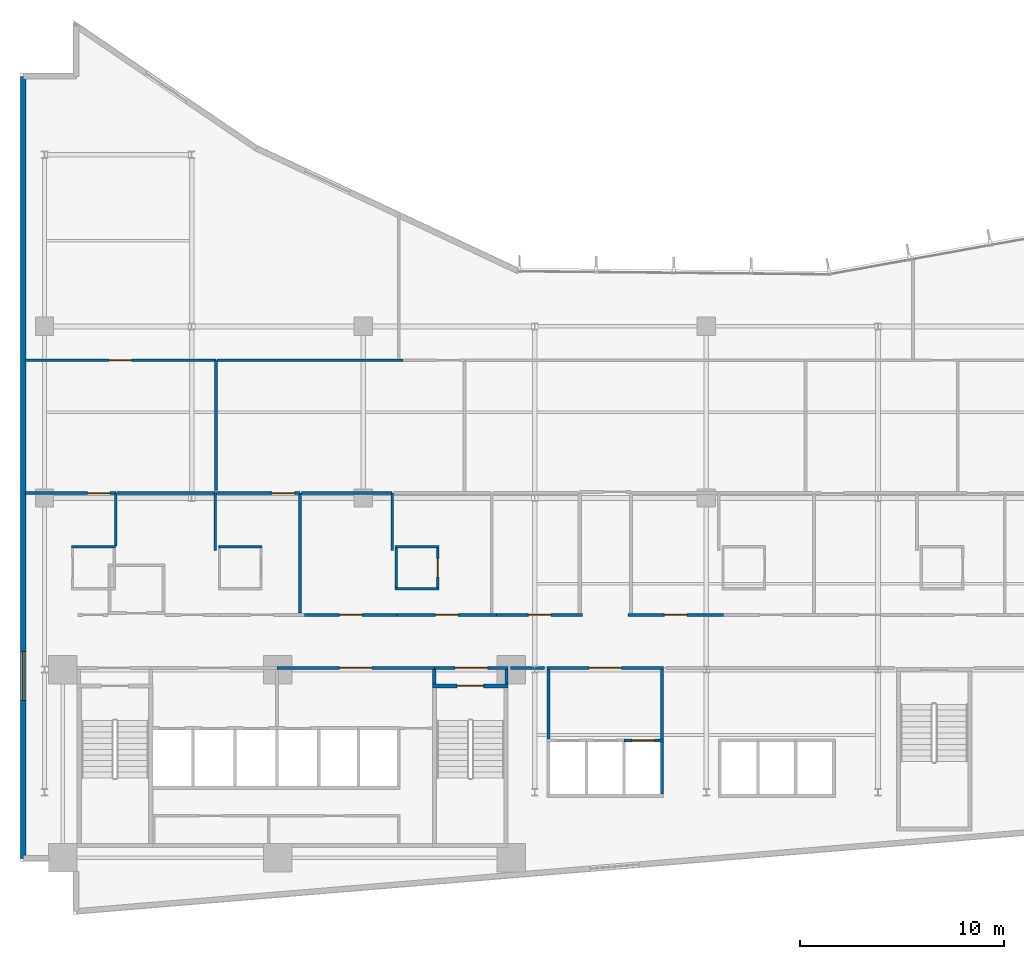
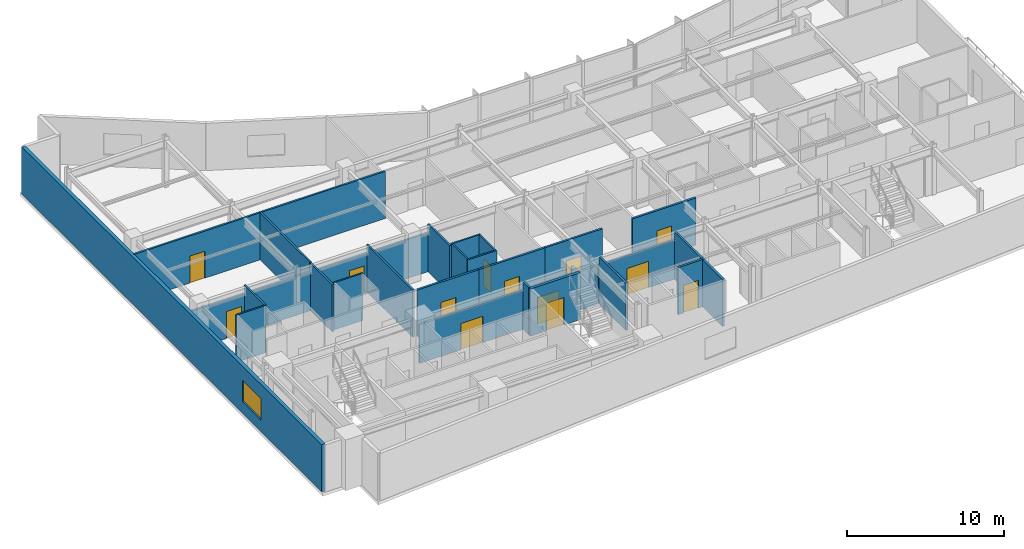
# One storey, part 11 of 19: 33 walls, 13 doors, 1 window, 14 openings.
"""IFC4 building model written with IfcOpenShell, lengths in metres."""

from ifc_helpers import new_model, si_unit, direction, frame, frame_2d, origin, place, context, subcontext, project, spatial, rectangle, extrude, material, layer, layer_set, type_object, element, fill, save


model = new_model("IFC4")

# Units and contexts
model_context = context("Model", 3, precision=1e-05, world=origin(), true_north=direction((0.0, 1.0)))
body_context = subcontext(model_context, "Body", "Model", "MODEL_VIEW")
ifc_project = project(units=[si_unit("LENGTHUNIT", "METRE"), si_unit("AREAUNIT", "SQUARE_METRE"), si_unit("VOLUMEUNIT", "CUBIC_METRE"), si_unit("PLANEANGLEUNIT", "RADIAN"), si_unit("MASSUNIT", "GRAM", prefix="KILO")], contexts=[model_context])

# Site, building, storey
site_placement = place(None, origin())
site = spatial("IfcSite", under=ifc_project, at=site_placement, CompositionType="ELEMENT")
building_placement = place(site_placement, origin())
building = spatial("IfcBuilding", under=site, at=building_placement, Name="Varnakote Quay Hospital", CompositionType="ELEMENT")
storey_placement = place(building_placement, frame((0.0, 0.0, 93.60009765625)))
storey = spatial("IfcBuildingStorey", under=building, at=storey_placement, Name="L23", CompositionType="ELEMENT", Elevation=93.60009765625)

# Wall, opening, door
ifc_material_1 = material(Name="Fire-rated acoustic gypsum stud wall", Category="gypsum")
ifc_layer_1 = layer(ifc_material_1, 0.159912109375)
ifc_layer_set_1 = layer_set([ifc_layer_1], Name="Fire-rated acoustic gypsum stud wall")
wall_type_1 = type_object("IfcWallType", Name="WL-COMP-160", PredefinedType="PARTITIONING", material=ifc_layer_set_1)
wall_1_placement = place(storey_placement, frame((12.580078125, 12.080078125, 0.0), z_axis=(0.0, 0.0, 1.0), x_axis=(1.0, 0.0, 0.0)))
wall_1 = element("IfcWall", 1, at=wall_1_placement, inside=storey, type_object=wall_type_1, Name="L23 Clinical Bed Lift Lobby Wall", PredefinedType="PARTITIONING", context=body_context, shape_type="SweptSolid", body=[
    extrude(rectangle(XDim=7.699951171875, YDim=0.159912109375, at=frame_2d((3.85009765625, 0.0))), origin(), (0.0, 0.0, 1.0), 3.032958984375),
])
opening_1_placement = place(wall_1_placement, frame((3.050048828125, 0.0, 0.0)))
opening_1 = element("IfcOpeningElement", 2, at=opening_1_placement, cuts=wall_1, Name="Opening D-SVL-L23", PredefinedType="OPENING", context=body_context, shape_type="SweptSolid", body=[
    extrude(rectangle(XDim=1.60009765625, YDim=2.050048828125, at=frame_2d((0.800048828125, 1.02490234375))), frame((0.0, 0.08984375, 0.0), z_axis=(0.0, -1.0, 0.0), x_axis=(1.0, 0.0, 0.0)), (0.0, 0.0, 1.0), 0.179931640625),
])
ifc_material_2 = material(Name="Fire-rated double smoke lobby door")
door_type_1 = type_object("IfcDoorType", Name="DR-LOBBY-FD60S-1600x2150", OperationType="NOTDEFINED", PredefinedType="DOOR", material=ifc_material_2)
door_1_placement = place(opening_1_placement, origin())
door_1 = element("IfcDoor", 3, at=door_1_placement, inside=storey, type_object=door_type_1, Name="L23 Clinical Core Smoke Vestibule Door", OperationType="DOUBLE_DOOR_SINGLE_SWING", OverallHeight=2.050048828125, OverallWidth=1.60009765625, PredefinedType="DOOR", context=body_context, shape_type="SweptSolid", body=[
    extrude(rectangle(XDim=1.60009765625, YDim=2.050048828125, at=frame_2d((0.800048828125, 1.02490234375))), frame((0.0, 0.02490234375, 0.0), z_axis=(0.0, -1.0, 0.0), x_axis=(1.0, 0.0, 0.0)), (0.0, 0.0, 1.0), 0.050048828125),
])
fill(opening_1, door_1)

# Wall
wall_2_placement = place(storey_placement, frame((20.280029296875, 11.300048828125, 0.0), z_axis=(0.0, 0.0, 1.0), x_axis=(0.0, 1.0, 0.0)))
element("IfcWall", 4, at=wall_2_placement, inside=storey, type_object=wall_type_1, Name="L23 East Stair Vestibule Divider Wall", PredefinedType="PARTITIONING", context=body_context, shape_type="SweptSolid", body=[
    extrude(rectangle(XDim=0.699951171875, YDim=0.159912109375, at=frame_2d((0.35009765625, 0.0))), origin(), (0.0, 0.0, 1.0), 3.669921875),
])

# Wall, opening, door
wall_3_placement = place(storey_placement, frame((20.280029296875, 12.080078125, 0.0), z_axis=(0.0, 0.0, 1.0), x_axis=(1.0, 0.0, 0.0)))
wall_3 = element("IfcWall", 5, at=wall_3_placement, inside=storey, type_object=wall_type_1, Name="L23 East Stair Vestibule Smoke Wall", PredefinedType="PARTITIONING", context=body_context, shape_type="SweptSolid", body=[
    extrude(rectangle(XDim=3.619873046875, YDim=0.159912109375, at=frame_2d((1.81005859375, 0.0))), origin(), (0.0, 0.0, 1.0), 3.032958984375),
])
opening_2_placement = place(wall_3_placement, frame((1.010009765625, 0.0, 0.0)))
opening_2 = element("IfcOpeningElement", 6, at=opening_2_placement, cuts=wall_3, Name="Opening D-ST2L-L23", PredefinedType="OPENING", context=body_context, shape_type="SweptSolid", body=[
    extrude(rectangle(XDim=1.60009765625, YDim=2.050048828125, at=frame_2d((0.800048828125, 1.02490234375))), frame((0.0, 0.08984375, 0.0), z_axis=(0.0, -1.0, 0.0), x_axis=(1.0, 0.0, 0.0)), (0.0, 0.0, 1.0), 0.179931640625),
])
door_2_placement = place(opening_2_placement, origin())
door_2 = element("IfcDoor", 7, at=door_2_placement, inside=storey, type_object=door_type_1, Name="L23 East Stair Vestibule Smoke Door", OperationType="DOUBLE_DOOR_SINGLE_SWING", OverallHeight=2.050048828125, OverallWidth=1.60009765625, PredefinedType="DOOR", context=body_context, shape_type="SweptSolid", body=[
    extrude(rectangle(XDim=1.60009765625, YDim=2.050048828125, at=frame_2d((0.800048828125, 1.02490234375))), frame((0.0, 0.02490234375, 0.0), z_axis=(0.0, -1.0, 0.0), x_axis=(1.0, 0.0, 0.0)), (0.0, 0.0, 1.0), 0.050048828125),
])
fill(opening_2, door_2)

# Walls
wall_4_placement = place(storey_placement, frame((23.820068359375, 11.300048828125, 0.0), z_axis=(0.0, 0.0, 1.0), x_axis=(0.0, 1.0, 0.0)))
element("IfcWall", 8, at=wall_4_placement, inside=storey, type_object=wall_type_1, Name="L23 East Stair Vestibule East Wall", PredefinedType="PARTITIONING", context=body_context, shape_type="SweptSolid", body=[
    extrude(rectangle(XDim=0.699951171875, YDim=0.159912109375, at=frame_2d((0.35009765625, 0.0))), origin(), (0.0, 0.0, 1.0), 3.669921875),
])
for number, where, z_axis, x_axis, name in (
    (9, (25.8701171875, 8.610107421875, 0.0), (0.0, 0.0, 1.0), (0.0, 1.0, 0.0), "L23 Low-Rise Lift Lobby West Wall"),
    (10, (31.429931640625, 8.610107421875, 0.0), (0.0, 0.0, 1.0), (0.0, 1.0, 0.0), "L23 Low-Rise Lift Lobby East Wall"),
):
    element("IfcWall", number, at=place(storey_placement, frame(where, z_axis=z_axis, x_axis=x_axis)), inside=storey, type_object=wall_type_1, Name=name, PredefinedType="PARTITIONING", context=body_context, shape_type="SweptSolid", body=[
        extrude(rectangle(XDim=3.389892578125, YDim=0.159912109375, at=frame_2d((1.69482421875, 0.0))), origin(), (0.0, 0.0, 1.0), 3.669921875),
    ])

# Wall, opening, door
wall_5_placement = place(storey_placement, frame((25.7900390625, 12.080078125, 0.0), z_axis=(0.0, 0.0, 1.0), x_axis=(1.0, 0.0, 0.0)))
wall_5 = element("IfcWall", 11, at=wall_5_placement, inside=storey, type_object=wall_type_1, Name="L23 Low-Rise Lift Lobby North Wall", PredefinedType="PARTITIONING", context=body_context, shape_type="SweptSolid", body=[
    extrude(rectangle(XDim=5.719970703125, YDim=0.159912109375, at=frame_2d((2.85986328125, 0.0))), origin(), (0.0, 0.0, 1.0), 3.032958984375),
])
opening_3_placement = place(wall_5_placement, frame((2.06005859375, 0.0, 0.0)))
opening_3 = element("IfcOpeningElement", 12, at=opening_3_placement, cuts=wall_5, Name="Opening D-PLL-L23", PredefinedType="OPENING", context=body_context, shape_type="SweptSolid", body=[
    extrude(rectangle(XDim=1.60009765625, YDim=2.050048828125, at=frame_2d((0.800048828125, 1.02490234375))), frame((0.0, 0.08984375, 0.0), z_axis=(0.0, -1.0, 0.0), x_axis=(1.0, 0.0, 0.0)), (0.0, 0.0, 1.0), 0.179931640625),
])
door_3_placement = place(opening_3_placement, origin())
door_3 = element("IfcDoor", 13, at=door_3_placement, inside=storey, type_object=door_type_1, Name="L23 Low-Rise Passenger Concourse Vestibule Door", OperationType="DOUBLE_DOOR_SINGLE_SWING", OverallHeight=2.050048828125, OverallWidth=1.60009765625, PredefinedType="DOOR", context=body_context, shape_type="SweptSolid", body=[
    extrude(rectangle(XDim=1.60009765625, YDim=2.050048828125, at=frame_2d((0.800048828125, 1.02490234375))), frame((0.0, 0.02490234375, 0.0), z_axis=(0.0, -1.0, 0.0), x_axis=(1.0, 0.0, 0.0)), (0.0, 0.0, 1.0), 0.050048828125),
])
fill(opening_3, door_3)

# Walls
wall_6_placement = place(storey_placement, frame((24.02001953125, 12.080078125, 0.0), z_axis=(0.0, 0.0, 1.0), x_axis=(1.0, 0.0, 0.0)))
element("IfcWall", 14, at=wall_6_placement, inside=storey, type_object=wall_type_1, Name="L23 Corridor South Gap Wall", PredefinedType="PARTITIONING", context=body_context, shape_type="SweptSolid", body=[
    extrude(rectangle(XDim=1.64990234375, YDim=0.159912109375, at=frame_2d((0.824951171875, 0.0))), origin(), (0.0, 0.0, 1.0), 3.032958984375),
])
ifc_material_3 = material(Name="Moisture-resistant bathroom partition", Category="gypsum")
ifc_layer_2 = layer(ifc_material_3, 0.114990234375)
ifc_layer_set_2 = layer_set([ifc_layer_2], Name="Moisture-resistant bathroom partition")
wall_type_2 = type_object("IfcWallType", Name="WL-ENS-115", PredefinedType="PARTITIONING", material=ifc_layer_set_2)
wall_7_placement = place(storey_placement, frame((2.514892578125, 18.017578125, 0.0), z_axis=(0.0, 0.0, 1.0), x_axis=(1.0, 0.0, 0.0)))
element("IfcWall", 15, at=wall_7_placement, inside=storey, type_object=wall_type_2, Name="L23 Inpatient En-Suite Bathroom 01 N Wall", PredefinedType="PARTITIONING", context=body_context, shape_type="SweptSolid", body=[
    extrude(rectangle(XDim=2.150146484375, YDim=0.114990234375, at=frame_2d((1.0751953125, 0.0))), origin(), (0.0, 0.0, 1.0), 3.669921875),
])
for number, where, z_axis, x_axis, name in (
    (16, (9.705078125, 18.017578125, 0.0), (0.0, 0.0, 1.0), (1.0, 0.0, 0.0), "L23 Inpatient En-Suite Bathroom 02 N Wall"),
    (17, (18.364990234375, 15.952392578125, 0.0), (0.0, 0.0, 1.0), (1.0, 0.0, 0.0), "L23 Inpatient En-Suite Bathroom 03 S Wall"),
    (18, (18.364990234375, 18.017578125, 0.0), (0.0, 0.0, 1.0), (1.0, 0.0, 0.0), "L23 Inpatient En-Suite Bathroom 03 N Wall"),
):
    element("IfcWall", number, at=place(storey_placement, frame(where, z_axis=z_axis, x_axis=x_axis)), inside=storey, type_object=wall_type_2, Name=name, PredefinedType="PARTITIONING", context=body_context, shape_type="SweptSolid", body=[
        extrude(rectangle(XDim=2.14990234375, YDim=0.114990234375, at=frame_2d((1.074951171875, 0.0))), origin(), (0.0, 0.0, 1.0), 3.669921875),
    ])
wall_8_placement = place(storey_placement, frame((18.422607421875, 16.010009765625, 0.0), z_axis=(0.0, 0.0, 1.0), x_axis=(0.0, 1.0, 0.0)))
element("IfcWall", 19, at=wall_8_placement, inside=storey, type_object=wall_type_2, Name="L23 Inpatient En-Suite Bathroom 03 W Wall", PredefinedType="PARTITIONING", context=body_context, shape_type="SweptSolid", body=[
    extrude(rectangle(XDim=1.949951171875, YDim=0.114990234375, at=frame_2d((0.97509765625, 0.0))), origin(), (0.0, 0.0, 1.0), 3.669921875),
])

# Wall, opening, door
wall_9_placement = place(storey_placement, frame((20.45751953125, 16.010009765625, 0.0), z_axis=(0.0, 0.0, 1.0), x_axis=(0.0, 1.0, 0.0)))
wall_9 = element("IfcWall", 20, at=wall_9_placement, inside=storey, type_object=wall_type_2, Name="L23 Inpatient En-Suite Bathroom 03 E Wall", PredefinedType="PARTITIONING", context=body_context, shape_type="SweptSolid", body=[
    extrude(rectangle(XDim=1.949951171875, YDim=0.114990234375, at=frame_2d((0.97509765625, 0.0))), origin(), (0.0, 0.0, 1.0), 3.669921875),
])
opening_4_placement = place(wall_9_placement, frame((0.514892578125, 0.0, 0.0)))
opening_4 = element("IfcOpeningElement", 21, at=opening_4_placement, cuts=wall_9, Name="Opening D-L23-ENS03", PredefinedType="OPENING", context=body_context, shape_type="SweptSolid", body=[
    extrude(rectangle(XDim=0.919921875, YDim=2.10009765625, at=frame_2d((0.4599609375, 1.050048828125))), frame((0.0, 0.0673828125, 0.0), z_axis=(0.0, -1.0, 0.0), x_axis=(1.0, 0.0, 0.0)), (0.0, 0.0, 1.0), 0.135009765625),
])
ifc_material_4 = material(Name="Moisture-sealed en-suite bathroom door")
door_type_2 = type_object("IfcDoorType", Name="DR-ENS-920x2100", OperationType="NOTDEFINED", PredefinedType="DOOR", material=ifc_material_4)
door_4_placement = place(opening_4_placement, origin())
door_4 = element("IfcDoor", 22, at=door_4_placement, inside=storey, type_object=door_type_2, Name="L23 Inpatient En-Suite Bathroom 03 Door", OperationType="SINGLE_SWING_LEFT", OverallHeight=2.10009765625, OverallWidth=0.919921875, PredefinedType="DOOR", context=body_context, shape_type="SweptSolid", body=[
    extrude(rectangle(XDim=0.919921875, YDim=2.10009765625, at=frame_2d((0.4599609375, 1.050048828125))), frame((0.0, 0.02490234375, 0.0), z_axis=(0.0, -1.0, 0.0), x_axis=(1.0, 0.0, 0.0)), (0.0, 0.0, 1.0), 0.050048828125),
])
fill(opening_4, door_4)

# Wall, opening, window
ifc_material_5 = material(Name="Precast concrete N50 (f'c 50 MPa)", Category="concrete")
ifc_layer_3 = layer(ifc_material_5, 0.260009765625)
ifc_layer_set_3 = layer_set([ifc_layer_3], Name="Precast concrete N50 (f'c 50 MPa)")
wall_type_3 = type_object("IfcWallType", Name="WL-EXT-BRICK-260", PredefinedType="STANDARD", material=ifc_layer_set_3)
wall_10_placement = place(storey_placement, frame((0.159912109375, 41.0400390625, 0.0), z_axis=(0.0, 0.0, 1.0), x_axis=(0.0, -1.0, 0.0)))
wall_10 = element("IfcWall", 23, at=wall_10_placement, inside=storey, type_object=wall_type_3, Name="L23 Brick-Faced Precast Exterior Wall", PredefinedType="STANDARD", context=body_context, shape_type="SweptSolid", body=[
    extrude(rectangle(XDim=38.280029296875, YDim=0.260009765625, at=frame_2d((19.14013671875, 0.0))), origin(), (0.0, 0.0, 1.0), 3.669921875),
])
opening_5_placement = place(wall_10_placement, frame((28.14990234375, 0.0, 0.89990234375)))
opening_5 = element("IfcOpeningElement", 24, at=opening_5_placement, cuts=wall_10, Name="Opening WN-0109", PredefinedType="OPENING", context=body_context, shape_type="SweptSolid", body=[
    extrude(rectangle(XDim=2.39990234375, YDim=1.64990234375, at=frame_2d((1.199951171875, 0.824951171875))), frame((0.0, 0.139892578125, 0.0), z_axis=(0.0, -1.0, 0.0), x_axis=(1.0, 0.0, 0.0)), (0.0, 0.0, 1.0), 0.280029296875),
])
ifc_material_6 = material(Name="Double-glazed low-E solar glass", Category="glass")
window_type = type_object("IfcWindowType", Name="WIN-CLIN-2400x1650", PartitioningType="SINGLE_PANEL", PredefinedType="WINDOW", material=ifc_material_6)
window_placement = place(opening_5_placement, origin())
window = element("IfcWindow", 25, at=window_placement, inside=storey, type_object=window_type, Name="L23 Solar-Control Clinical Window", OverallHeight=1.64990234375, OverallWidth=2.39990234375, PartitioningType="SINGLE_PANEL", PredefinedType="WINDOW", context=body_context, shape_type="SweptSolid", body=[
    extrude(rectangle(XDim=2.39990234375, YDim=1.64990234375, at=frame_2d((1.199951171875, 0.824951171875))), frame((0.0, 0.030029296875, 0.0), z_axis=(0.0, -1.0, 0.0), x_axis=(1.0, 0.0, 0.0)), (0.0, 0.0, 1.0), 0.06005859375),
])
fill(opening_5, window)

# Wall
ifc_material_7 = material(Name="Concrete N50 (f'c 50 MPa)", Category="concrete")
ifc_layer_4 = layer(ifc_material_7, 0.159912109375)
ifc_layer_set_4 = layer_set([ifc_layer_4], Name="Concrete N50 (f'c 50 MPa)")
wall_type_4 = type_object("IfcWallType", Name="WL-SHAFT-N50-160", PredefinedType="SHEAR", material=ifc_layer_set_4)
wall_11_placement = place(storey_placement, frame((31.429931640625, 5.89990234375, 0.0), z_axis=(0.0, 0.0, 1.0), x_axis=(0.0, 1.0, 0.0)))
element("IfcWall", 26, at=wall_11_placement, inside=storey, type_object=wall_type_4, Name="L23 LOW Lift Bank East Shear Wall", PredefinedType="SHEAR", context=body_context, shape_type="SweptSolid", body=[
    extrude(rectangle(XDim=2.550048828125, YDim=0.159912109375, at=frame_2d((1.27490234375, 0.0))), origin(), (0.0, 0.0, 1.0), 3.669921875),
])

# Wall, opening, door
wall_12_placement = place(storey_placement, frame((29.574951171875, 8.530029296875, 0.0), z_axis=(0.0, 0.0, 1.0), x_axis=(1.0, 0.0, 0.0)))
wall_12 = element("IfcWall", 27, at=wall_12_placement, inside=storey, type_object=wall_type_4, Name="L23 LF-PL3 Hoistway Front Wall", PredefinedType="SHEAR", context=body_context, shape_type="SweptSolid", body=[
    extrude(rectangle(XDim=1.93505859375, YDim=0.159912109375, at=frame_2d((0.967529296875, 0.0))), origin(), (0.0, 0.0, 1.0), 3.669921875),
])
opening_6_placement = place(wall_12_placement, frame((0.375, 0.0, 0.0)))
opening_6 = element("IfcOpeningElement", 28, at=opening_6_placement, cuts=wall_12, Name="Opening LD-PL3-L23", PredefinedType="OPENING", context=body_context, shape_type="SweptSolid", body=[
    extrude(rectangle(XDim=1.10009765625, YDim=2.14990234375, at=frame_2d((0.550048828125, 1.074951171875))), frame((0.0, 0.08984375, 0.0), z_axis=(0.0, -1.0, 0.0), x_axis=(1.0, 0.0, 0.0)), (0.0, 0.0, 1.0), 0.179931640625),
])
ifc_material_8 = material(Name="Brushed bronze lift landing sliding door")
door_type_3 = type_object("IfcDoorType", Name="DR-LIFT-LD-1100x2150", OperationType="NOTDEFINED", PredefinedType="DOOR", material=ifc_material_8)
door_5_placement = place(opening_6_placement, origin())
door_5 = element("IfcDoor", 29, at=door_5_placement, inside=storey, type_object=door_type_3, Name="L23 LF-PL3 Lift Landing Sliding Door", OperationType="SLIDING_TO_LEFT", OverallHeight=2.14990234375, OverallWidth=1.10009765625, PredefinedType="DOOR", context=body_context, shape_type="SweptSolid", body=[
    extrude(rectangle(XDim=1.10009765625, YDim=2.14990234375, at=frame_2d((0.550048828125, 1.074951171875))), frame((0.0, 0.02490234375, 0.0), z_axis=(0.0, -1.0, 0.0), x_axis=(1.0, 0.0, 0.0)), (0.0, 0.0, 1.0), 0.050048828125),
])
fill(opening_6, door_5)

ifc_material_9 = material(Name="Concrete N50 (f'c 50 MPa)", Category="concrete")
ifc_layer_5 = layer(ifc_material_9, 0.199951171875)
ifc_layer_set_5 = layer_set([ifc_layer_5], Name="Concrete N50 (f'c 50 MPa)")
wall_type_5 = type_object("IfcWallType", Name="WL-SHAFT-N50-200", PredefinedType="SHEAR", material=ifc_layer_set_5)
wall_13_placement = place(storey_placement, frame((20.199951171875, 11.199951171875, 0.0), z_axis=(0.0, 0.0, 1.0), x_axis=(1.0, 0.0, 0.0)))
wall_13 = element("IfcWall", 30, at=wall_13_placement, inside=storey, type_object=wall_type_5, Name="L23 Stair ST2 Exit Wall", PredefinedType="SHEAR", context=body_context, shape_type="SweptSolid", body=[
    extrude(rectangle(XDim=3.699951171875, YDim=0.199951171875, at=frame_2d((1.85009765625, 0.0))), origin(), (0.0, 0.0, 1.0), 3.669921875),
])
opening_7_placement = place(wall_13_placement, frame((1.199951171875, 0.0, 0.0)))
opening_7 = element("IfcOpeningElement", 31, at=opening_7_placement, cuts=wall_13, Name="Opening D-ST2-L23", PredefinedType="OPENING", context=body_context, shape_type="SweptSolid", body=[
    extrude(rectangle(XDim=1.300048828125, YDim=2.14990234375, at=frame_2d((0.64990234375, 1.074951171875))), frame((0.0, 0.10986328125, 0.0), z_axis=(0.0, -1.0, 0.0), x_axis=(1.0, 0.0, 0.0)), (0.0, 0.0, 1.0), 0.219970703125),
])
ifc_material_10 = material(Name="Fire-rated ceramic-glazed timber exit door", Category="wood")
door_type_4 = type_object("IfcDoorType", Name="DR-STAIR-FD60S-1300x2150", OperationType="NOTDEFINED", PredefinedType="DOOR", material=ifc_material_10)
door_6_placement = place(opening_7_placement, origin())
door_6 = element("IfcDoor", 32, at=door_6_placement, inside=storey, type_object=door_type_4, Name="L23 Stair ST2 Fire Exit Door", OperationType="SINGLE_SWING_LEFT", OverallHeight=2.14990234375, OverallWidth=1.300048828125, PredefinedType="DOOR", context=body_context, shape_type="SweptSolid", body=[
    extrude(rectangle(XDim=1.300048828125, YDim=2.14990234375, at=frame_2d((0.64990234375, 1.074951171875))), frame((0.0, 0.02490234375, 0.0), z_axis=(0.0, -1.0, 0.0), x_axis=(1.0, 0.0, 0.0)), (0.0, 0.0, 1.0), 0.050048828125),
])
fill(opening_7, door_6)

# Wall
ifc_material_11 = material(Name="Smoke-proof clinical partition", Category="gypsum")
ifc_layer_6 = layer(ifc_material_11, 0.135009765625)
ifc_layer_set_6 = layer_set([ifc_layer_6], Name="Smoke-proof clinical partition")
wall_type_6 = type_object("IfcWallType", Name="WL-SMOKE-135", PredefinedType="PARTITIONING", material=ifc_layer_set_6)
wall_14_placement = place(storey_placement, frame((4.68994140625, 18.0400390625, 0.0), z_axis=(0.0, 0.0, 1.0), x_axis=(0.0, 1.0, 0.0)))
element("IfcWall", 33, at=wall_14_placement, inside=storey, type_object=wall_type_6, Name="L23 Clinical Interior Partition", PredefinedType="PARTITIONING", context=body_context, shape_type="SweptSolid", body=[
    extrude(rectangle(XDim=2.599853515625, YDim=0.135009765625, at=frame_2d((1.2998046875, 0.0))), origin(), (0.0, 0.0, 1.0), 3.669921875),
])

# Wall, opening, door
wall_15_placement = place(storey_placement, frame((4.68994140625, 20.639892578125, 0.0), z_axis=(0.0, 0.0, 1.0), x_axis=(-1.0, 0.0, 0.0)))
wall_15 = element("IfcWall", 34, at=wall_15_placement, inside=storey, type_object=wall_type_6, Name="L23 Clinical Interior Partition", PredefinedType="PARTITIONING", context=body_context, shape_type="SweptSolid", body=[
    extrude(rectangle(XDim=4.449951171875, YDim=0.135009765625, at=frame_2d((2.22509765625, 0.0))), origin(), (0.0, 0.0, 1.0), 3.032958984375),
])
opening_8_placement = place(wall_15_placement, frame((0.273681640625, 0.0, 0.0)))
opening_8 = element("IfcOpeningElement", 35, at=opening_8_placement, cuts=wall_15, Name="Opening D-L23-MD07", PredefinedType="OPENING", context=body_context, shape_type="SweptSolid", body=[
    extrude(rectangle(XDim=1.10009765625, YDim=2.10009765625, at=frame_2d((0.550048828125, 1.050048828125))), frame((0.0, 0.077392578125, 0.0), z_axis=(0.0, -1.0, 0.0), x_axis=(1.0, 0.0, 0.0)), (0.0, 0.0, 1.0), 0.155029296875),
])
ifc_material_12 = material(Name="Acoustic timber clinical consult door", Category="wood")
door_type_5 = type_object("IfcDoorType", Name="DR-CLIN-FD30S-1100x2100", OperationType="NOTDEFINED", PredefinedType="DOOR", material=ifc_material_12)
door_7_placement = place(opening_8_placement, origin())
door_7 = element("IfcDoor", 36, at=door_7_placement, inside=storey, type_object=door_type_5, Name="L23 Critical Care Clinical Consultation Suite Door", OperationType="SINGLE_SWING_LEFT", OverallHeight=2.10009765625, OverallWidth=1.10009765625, PredefinedType="DOOR", context=body_context, shape_type="SweptSolid", body=[
    extrude(rectangle(XDim=1.10009765625, YDim=2.10009765625, at=frame_2d((0.550048828125, 1.050048828125))), frame((0.0, 0.02490234375, 0.0), z_axis=(0.0, -1.0, 0.0), x_axis=(1.0, 0.0, 0.0)), (0.0, 0.0, 1.0), 0.050048828125),
])
fill(opening_8, door_7)

# Walls
wall_16_placement = place(storey_placement, frame((9.56005859375, 17.83251953125, 0.0), z_axis=(0.0, 0.0, 1.0), x_axis=(0.0, 1.0, 0.0)))
element("IfcWall", 37, at=wall_16_placement, inside=storey, type_object=wall_type_6, Name="L23 Clinical Interior Partition", PredefinedType="PARTITIONING", context=body_context, shape_type="SweptSolid", body=[
    extrude(rectangle(XDim=2.807373046875, YDim=0.135009765625, at=frame_2d((1.40380859375, 0.0))), origin(), (0.0, 0.0, 1.0), 3.669921875),
])
wall_17_placement = place(storey_placement, frame((9.56005859375, 20.639892578125, 0.0), z_axis=(0.0, 0.0, 1.0), x_axis=(-1.0, 0.0, 0.0)))
element("IfcWall", 38, at=wall_17_placement, inside=storey, type_object=wall_type_6, Name="L23 Clinical Interior Partition", PredefinedType="PARTITIONING", context=body_context, shape_type="SweptSolid", body=[
    extrude(rectangle(XDim=4.8125, YDim=0.135009765625, at=frame_2d((2.40625, 0.0))), origin(), (0.0, 0.0, 1.0), 3.032958984375),
])
wall_18_placement = place(storey_placement, frame((13.7099609375, 14.760009765625, 0.0), z_axis=(0.0, 0.0, 1.0), x_axis=(0.0, 1.0, 0.0)))
element("IfcWall", 39, at=wall_18_placement, inside=storey, type_object=wall_type_6, Name="L23 Clinical Interior Partition", PredefinedType="PARTITIONING", context=body_context, shape_type="SweptSolid", body=[
    extrude(rectangle(XDim=5.8798828125, YDim=0.135009765625, at=frame_2d((2.93994140625, 0.0))), origin(), (0.0, 0.0, 1.0), 3.669921875),
])

# Wall, opening, door
wall_19_placement = place(storey_placement, frame((13.7099609375, 20.639892578125, 0.0), z_axis=(0.0, 0.0, 1.0), x_axis=(-1.0, 0.0, 0.0)))
wall_19 = element("IfcWall", 40, at=wall_19_placement, inside=storey, type_object=wall_type_6, Name="L23 Clinical Interior Partition", PredefinedType="PARTITIONING", context=body_context, shape_type="SweptSolid", body=[
    extrude(rectangle(XDim=4.092529296875, YDim=0.135009765625, at=frame_2d((2.04638671875, 0.0))), origin(), (0.0, 0.0, 1.0), 3.032958984375),
])
opening_9_placement = place(wall_19_placement, frame((0.264892578125, 0.0, 0.0)))
opening_9 = element("IfcOpeningElement", 41, at=opening_9_placement, cuts=wall_19, Name="Opening D-L23-MD08", PredefinedType="OPENING", context=body_context, shape_type="SweptSolid", body=[
    extrude(rectangle(XDim=1.10009765625, YDim=2.10009765625, at=frame_2d((0.550048828125, 1.050048828125))), frame((0.0, 0.077392578125, 0.0), z_axis=(0.0, -1.0, 0.0), x_axis=(1.0, 0.0, 0.0)), (0.0, 0.0, 1.0), 0.155029296875),
])
door_8_placement = place(opening_9_placement, origin())
door_8 = element("IfcDoor", 42, at=door_8_placement, inside=storey, type_object=door_type_5, Name="L23 Senior Intensivist Office Door", OperationType="SINGLE_SWING_RIGHT", OverallHeight=2.10009765625, OverallWidth=1.10009765625, PredefinedType="DOOR", context=body_context, shape_type="SweptSolid", body=[
    extrude(rectangle(XDim=1.10009765625, YDim=2.10009765625, at=frame_2d((0.550048828125, 1.050048828125))), frame((0.0, 0.02490234375, 0.0), z_axis=(0.0, -1.0, 0.0), x_axis=(1.0, 0.0, 0.0)), (0.0, 0.0, 1.0), 0.050048828125),
])
fill(opening_9, door_8)

# Walls
wall_20_placement = place(storey_placement, frame((18.219970703125, 17.83251953125, 0.0), z_axis=(0.0, 0.0, 1.0), x_axis=(0.0, 1.0, 0.0)))
element("IfcWall", 43, at=wall_20_placement, inside=storey, type_object=wall_type_6, Name="L23 Clinical Interior Partition", PredefinedType="PARTITIONING", context=body_context, shape_type="SweptSolid", body=[
    extrude(rectangle(XDim=2.807373046875, YDim=0.135009765625, at=frame_2d((1.40380859375, 0.0))), origin(), (0.0, 0.0, 1.0), 3.669921875),
])
wall_21_placement = place(storey_placement, frame((18.219970703125, 20.639892578125, 0.0), z_axis=(0.0, 0.0, 1.0), x_axis=(-1.0, 0.0, 0.0)))
element("IfcWall", 44, at=wall_21_placement, inside=storey, type_object=wall_type_6, Name="L23 Clinical Interior Partition", PredefinedType="PARTITIONING", context=body_context, shape_type="SweptSolid", body=[
    extrude(rectangle(XDim=4.452392578125, YDim=0.135009765625, at=frame_2d((2.22607421875, 0.0))), origin(), (0.0, 0.0, 1.0), 3.032958984375),
])
wall_22_placement = place(storey_placement, frame((9.590087890625, 20.760009765625, 0.0), z_axis=(0.0, 0.0, 1.0), x_axis=(0.0, 1.0, 0.0)))
element("IfcWall", 45, at=wall_22_placement, inside=storey, type_object=wall_type_6, Name="L23 Clinical Interior Partition", PredefinedType="PARTITIONING", context=body_context, shape_type="SweptSolid", body=[
    extrude(rectangle(XDim=6.3798828125, YDim=0.135009765625, at=frame_2d((3.18994140625, 0.0))), origin(), (0.0, 0.0, 1.0), 3.669921875),
])

# Wall, opening, door
wall_23_placement = place(storey_placement, frame((9.590087890625, 27.139892578125, 0.0), z_axis=(0.0, 0.0, 1.0), x_axis=(-1.0, 0.0, 0.0)))
wall_23 = element("IfcWall", 46, at=wall_23_placement, inside=storey, type_object=wall_type_6, Name="L23 Clinical Interior Partition", PredefinedType="PARTITIONING", context=body_context, shape_type="SweptSolid", body=[
    extrude(rectangle(XDim=9.35009765625, YDim=0.135009765625, at=frame_2d((4.675048828125, 0.0))), origin(), (0.0, 0.0, 1.0), 3.669921875),
])
opening_10_placement = place(wall_23_placement, frame((4.125, 0.0, 0.0)))
opening_10 = element("IfcOpeningElement", 47, at=opening_10_placement, cuts=wall_23, Name="Opening D-L23-MD10", PredefinedType="OPENING", context=body_context, shape_type="SweptSolid", body=[
    extrude(rectangle(XDim=1.10009765625, YDim=2.10009765625, at=frame_2d((0.550048828125, 1.050048828125))), frame((0.0, 0.077392578125, 0.0), z_axis=(0.0, -1.0, 0.0), x_axis=(1.0, 0.0, 0.0)), (0.0, 0.0, 1.0), 0.155029296875),
])
door_9_placement = place(opening_10_placement, origin())
door_9 = element("IfcDoor", 48, at=door_9_placement, inside=storey, type_object=door_type_5, Name="L23 Intensivist Medication Pantry Door", OperationType="SINGLE_SWING_LEFT", OverallHeight=2.10009765625, OverallWidth=1.10009765625, PredefinedType="DOOR", context=body_context, shape_type="SweptSolid", body=[
    extrude(rectangle(XDim=1.10009765625, YDim=2.10009765625, at=frame_2d((0.550048828125, 1.050048828125))), frame((0.0, 0.02490234375, 0.0), z_axis=(0.0, -1.0, 0.0), x_axis=(1.0, 0.0, 0.0)), (0.0, 0.0, 1.0), 0.050048828125),
])
fill(opening_10, door_9)

# Wall
wall_24_placement = place(storey_placement, frame((18.74755859375, 27.139892578125, 0.0), z_axis=(0.0, 0.0, 1.0), x_axis=(-1.0, 0.0, 0.0)))
element("IfcWall", 49, at=wall_24_placement, inside=storey, type_object=wall_type_6, Name="L23 Clinical Interior Partition", PredefinedType="PARTITIONING", context=body_context, shape_type="SweptSolid", body=[
    extrude(rectangle(XDim=9.10009765625, YDim=0.135009765625, at=frame_2d((4.550048828125, 0.0))), origin(), (0.0, 0.0, 1.0), 3.669921875),
])

# Wall, opening, door
ifc_material_13 = material(Name="Fire-rated clinical gypsum partition", Category="gypsum")
ifc_layer_7 = layer(ifc_material_13, 0.14990234375)
ifc_layer_set_7 = layer_set([ifc_layer_7], Name="Fire-rated clinical gypsum partition")
wall_type_7 = type_object("IfcWallType", Name="WL-WARD-150", PredefinedType="PARTITIONING", material=ifc_layer_set_7)
wall_25_placement = place(storey_placement, frame((18.446044921875, 14.679931640625, 0.0), z_axis=(0.0, 0.0, 1.0), x_axis=(-1.0, 0.0, 0.0)))
wall_25 = element("IfcWall", 50, at=wall_25_placement, inside=storey, type_object=wall_type_7, Name="L23 Clinical Interior Partition", PredefinedType="PARTITIONING", context=body_context, shape_type="SweptSolid", body=[
    extrude(rectangle(XDim=4.508056640625, YDim=0.14990234375, at=frame_2d((2.25390625, 0.0))), origin(), (0.0, 0.0, 1.0), 3.669921875),
])
opening_11_placement = place(wall_25_placement, frame((1.7041015625, 0.0, 0.0)))
opening_11 = element("IfcOpeningElement", 51, at=opening_11_placement, cuts=wall_25, Name="Opening D-L23-MD02", PredefinedType="OPENING", context=body_context, shape_type="SweptSolid", body=[
    extrude(rectangle(XDim=1.10009765625, YDim=2.10009765625, at=frame_2d((0.550048828125, 1.050048828125))), frame((0.0, 0.0849609375, 0.0), z_axis=(0.0, -1.0, 0.0), x_axis=(1.0, 0.0, 0.0)), (0.0, 0.0, 1.0), 0.169921875),
])
door_10_placement = place(opening_11_placement, origin())
door_10 = element("IfcDoor", 52, at=door_10_placement, inside=storey, type_object=door_type_5, Name="L23 Intensivist Medication Pantry Door", OperationType="SINGLE_SWING_LEFT", OverallHeight=2.10009765625, OverallWidth=1.10009765625, PredefinedType="DOOR", context=body_context, shape_type="SweptSolid", body=[
    extrude(rectangle(XDim=1.10009765625, YDim=2.10009765625, at=frame_2d((0.550048828125, 1.050048828125))), frame((0.0, 0.02490234375, 0.0), z_axis=(0.0, -1.0, 0.0), x_axis=(1.0, 0.0, 0.0)), (0.0, 0.0, 1.0), 0.050048828125),
])
fill(opening_11, door_10)

wall_26_placement = place(storey_placement, frame((23.31591796875, 14.679931640625, 0.0), z_axis=(0.0, 0.0, 1.0), x_axis=(-1.0, 0.0, 0.0)))
wall_26 = element("IfcWall", 53, at=wall_26_placement, inside=storey, type_object=wall_type_7, Name="L23 Clinical Interior Partition", PredefinedType="PARTITIONING", context=body_context, shape_type="SweptSolid", body=[
    extrude(rectangle(XDim=4.867919921875, YDim=0.14990234375, at=frame_2d((2.43408203125, 0.0))), origin(), (0.0, 0.0, 1.0), 3.669921875),
])
opening_12_placement = place(wall_26_placement, frame((1.884033203125, 0.0, 0.0)))
opening_12 = element("IfcOpeningElement", 54, at=opening_12_placement, cuts=wall_26, Name="Opening D-L23-BR03", PredefinedType="OPENING", context=body_context, shape_type="SweptSolid", body=[
    extrude(rectangle(XDim=1.10009765625, YDim=2.10009765625, at=frame_2d((0.550048828125, 1.050048828125))), frame((0.0, 0.0849609375, 0.0), z_axis=(0.0, -1.0, 0.0), x_axis=(1.0, 0.0, 0.0)), (0.0, 0.0, 1.0), 0.169921875),
])
door_11_placement = place(opening_12_placement, origin())
door_11 = element("IfcDoor", 55, at=door_11_placement, inside=storey, type_object=door_type_5, Name="L23 Inpatient Clinical Treatment Room 03 Door", OperationType="SINGLE_SWING_RIGHT", OverallHeight=2.10009765625, OverallWidth=1.10009765625, PredefinedType="DOOR", context=body_context, shape_type="SweptSolid", body=[
    extrude(rectangle(XDim=1.10009765625, YDim=2.10009765625, at=frame_2d((0.550048828125, 1.050048828125))), frame((0.0, 0.02490234375, 0.0), z_axis=(0.0, -1.0, 0.0), x_axis=(1.0, 0.0, 0.0)), (0.0, 0.0, 1.0), 0.050048828125),
])
fill(opening_12, door_11)

wall_27_placement = place(storey_placement, frame((27.5458984375, 14.679931640625, 0.0), z_axis=(0.0, 0.0, 1.0), x_axis=(-1.0, 0.0, 0.0)))
wall_27 = element("IfcWall", 56, at=wall_27_placement, inside=storey, type_object=wall_type_7, Name="L23 Clinical Interior Partition", PredefinedType="PARTITIONING", context=body_context, shape_type="SweptSolid", body=[
    extrude(rectangle(XDim=4.227783203125, YDim=0.14990234375, at=frame_2d((2.11376953125, 0.0))), origin(), (0.0, 0.0, 1.0), 3.669921875),
])
opening_13_placement = place(wall_27_placement, frame((1.56396484375, 0.0, 0.0)))
opening_13 = element("IfcOpeningElement", 57, at=opening_13_placement, cuts=wall_27, Name="Opening D-L23-MD03", PredefinedType="OPENING", context=body_context, shape_type="SweptSolid", body=[
    extrude(rectangle(XDim=1.10009765625, YDim=2.10009765625, at=frame_2d((0.550048828125, 1.050048828125))), frame((0.0, 0.0849609375, 0.0), z_axis=(0.0, -1.0, 0.0), x_axis=(1.0, 0.0, 0.0)), (0.0, 0.0, 1.0), 0.169921875),
])
door_12_placement = place(opening_13_placement, origin())
door_12 = element("IfcDoor", 58, at=door_12_placement, inside=storey, type_object=door_type_5, Name="L23 Critical Care Clinical Consultation Suite Door", OperationType="SINGLE_SWING_LEFT", OverallHeight=2.10009765625, OverallWidth=1.10009765625, PredefinedType="DOOR", context=body_context, shape_type="SweptSolid", body=[
    extrude(rectangle(XDim=1.10009765625, YDim=2.10009765625, at=frame_2d((0.550048828125, 1.050048828125))), frame((0.0, 0.02490234375, 0.0), z_axis=(0.0, -1.0, 0.0), x_axis=(1.0, 0.0, 0.0)), (0.0, 0.0, 1.0), 0.050048828125),
])
fill(opening_13, door_12)

wall_28_placement = place(storey_placement, frame((34.43603515625, 14.679931640625, 0.0), z_axis=(0.0, 0.0, 1.0), x_axis=(-1.0, 0.0, 0.0)))
wall_28 = element("IfcWall", 59, at=wall_28_placement, inside=storey, type_object=wall_type_7, Name="L23 Clinical Interior Partition", PredefinedType="PARTITIONING", context=body_context, shape_type="SweptSolid", body=[
    extrude(rectangle(XDim=4.68212890625, YDim=0.14990234375, at=frame_2d((2.341064453125, 0.0))), origin(), (0.0, 0.0, 1.0), 3.669921875),
])
opening_14_placement = place(wall_28_placement, frame((1.791015625, 0.0, 0.0)))
opening_14 = element("IfcOpeningElement", 60, at=opening_14_placement, cuts=wall_28, Name="Opening D-L23-MD04", PredefinedType="OPENING", context=body_context, shape_type="SweptSolid", body=[
    extrude(rectangle(XDim=1.10009765625, YDim=2.10009765625, at=frame_2d((0.550048828125, 1.050048828125))), frame((0.0, 0.0849609375, 0.0), z_axis=(0.0, -1.0, 0.0), x_axis=(1.0, 0.0, 0.0)), (0.0, 0.0, 1.0), 0.169921875),
])
door_13_placement = place(opening_14_placement, origin())
door_13 = element("IfcDoor", 61, at=door_13_placement, inside=storey, type_object=door_type_5, Name="L23 Senior Intensivist Office Door", OperationType="SINGLE_SWING_RIGHT", OverallHeight=2.10009765625, OverallWidth=1.10009765625, PredefinedType="DOOR", context=body_context, shape_type="SweptSolid", body=[
    extrude(rectangle(XDim=1.10009765625, YDim=2.10009765625, at=frame_2d((0.550048828125, 1.050048828125))), frame((0.0, 0.02490234375, 0.0), z_axis=(0.0, -1.0, 0.0), x_axis=(1.0, 0.0, 0.0)), (0.0, 0.0, 1.0), 0.050048828125),
])
fill(opening_14, door_13)

save(model, "model.ifc")
